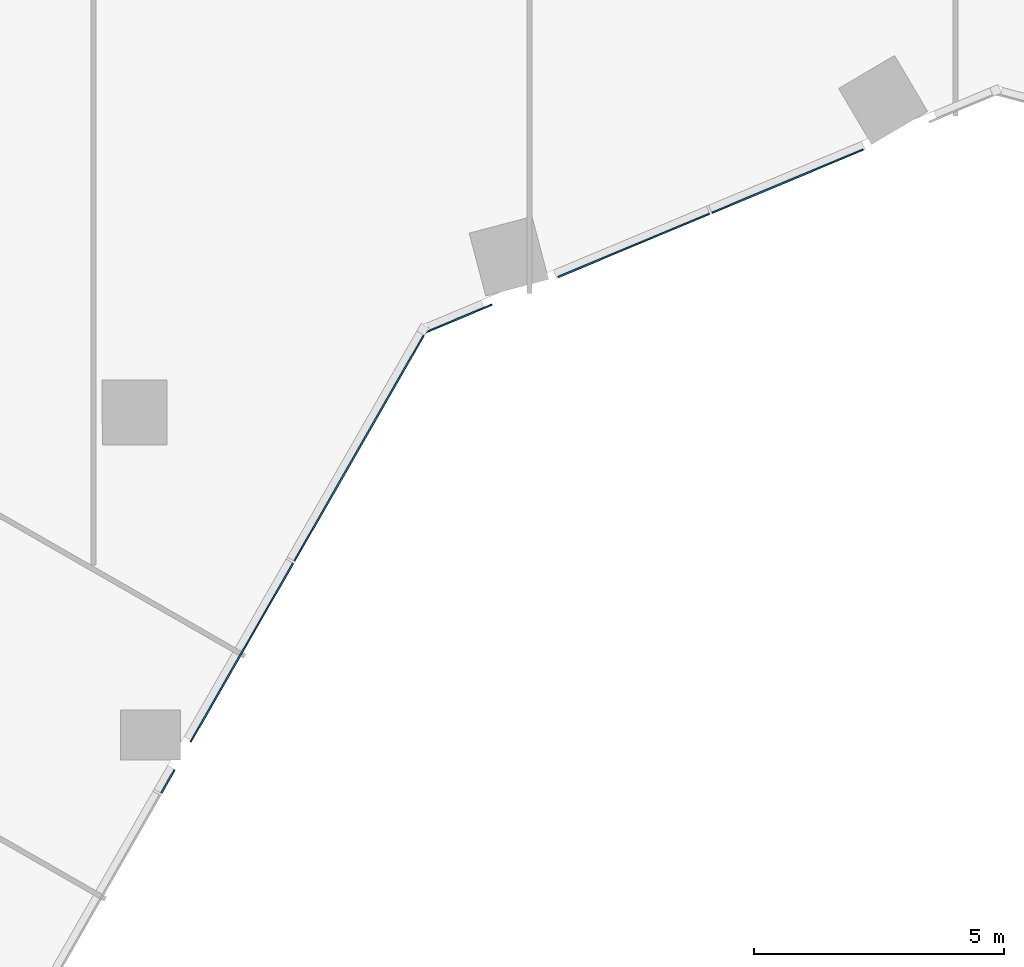
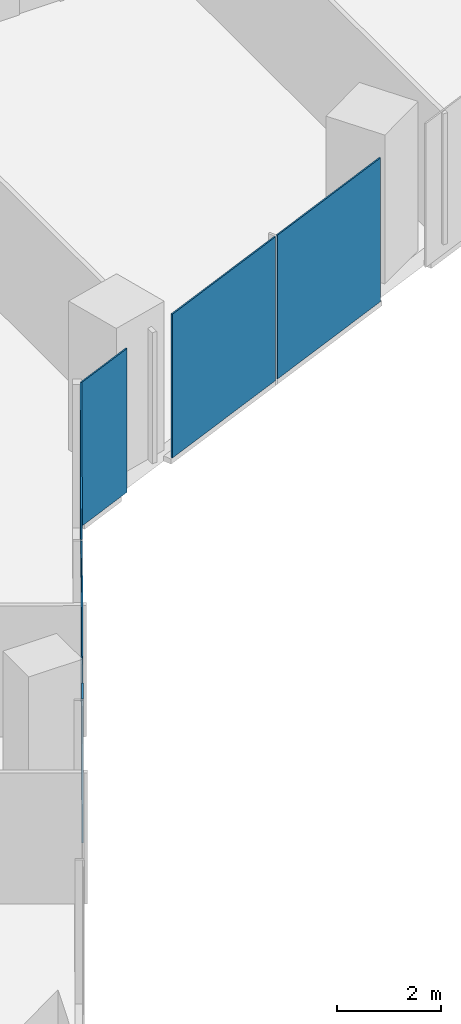
# One storey, part 19 of 34: 6 plates, 2 elements without a shape of their own.
"""IFC4 building model written with IfcOpenShell, lengths in metres."""

from ifc_helpers import new_model, si_unit, direction, frame, origin, origin_2d, place, context, subcontext, project, spatial, rectangle, extrude, material, layer, layer_set, type_object, element, aggregate, save


model = new_model("IFC4")

# Units and contexts
model_context = context("Model", 3, precision=1e-05, world=origin(), true_north=direction((0.0, 1.0)))
body_context = subcontext(model_context, "Body", "Model", "MODEL_VIEW")
ifc_project = project(units=[si_unit("LENGTHUNIT", "METRE"), si_unit("AREAUNIT", "SQUARE_METRE"), si_unit("VOLUMEUNIT", "CUBIC_METRE"), si_unit("PLANEANGLEUNIT", "RADIAN"), si_unit("MASSUNIT", "GRAM", prefix="KILO")], contexts=[model_context])

# Site, building, storey
site_placement = place(None, origin())
site = spatial("IfcSite", under=ifc_project, at=site_placement, CompositionType="ELEMENT")
building_placement = place(site_placement, origin())
building = spatial("IfcBuilding", under=site, at=building_placement, Name="Orlundy Tower", CompositionType="ELEMENT")
storey_placement = place(building_placement, frame((0.0, 0.0, 112.699951171875)))
storey = spatial("IfcBuildingStorey", under=building, at=storey_placement, Name="L28", CompositionType="ELEMENT", Elevation=112.699951171875)

# Curtain wall, plates
ifc_material_1 = material(Name="Aluminium bronze anodised", Category="aluminium")
curtain_wall_type = type_object("IfcCurtainWallType", Name="CW1 wall", PredefinedType="NOTDEFINED", material=ifc_material_1)
curtain_wall_1_placement = place(storey_placement, origin())
curtain_wall_1 = element("IfcCurtainWall", 1, at=curtain_wall_1_placement, inside=storey, type_object=curtain_wall_type, Name="CW1 run 01", PredefinedType="NOTDEFINED")
ifc_material_2 = material(Name="Tinted glass", Category="glass")
ifc_layer = layer(ifc_material_2, 0.031982421875)
ifc_layer_set = layer_set([ifc_layer], Name="CW1 glass panel 32")
plate_type = type_object("IfcPlateType", Name="CW1 glass panel 32", PredefinedType="CURTAIN_PANEL", material=ifc_layer_set)
plate_1_placement = place(storey_placement, frame((13.16162109375, -27.1923828125, -0.27978515625), z_axis=(0.0, 0.0, 1.0), x_axis=(-0.922759105019, -0.385377262048, 0.0)))
plate_1 = element("IfcPlate", 2, at=plate_1_placement, type_object=plate_type, Name="CW1 panel", PredefinedType="CURTAIN_PANEL", context=body_context, shape_type="SweptSolid", body=[
    extrude(rectangle(XDim=3.2822265625, YDim=0.031982421875, at=origin_2d()), origin(), (0.0, 0.0, 1.0), 3.3798828125),
])
plate_2_placement = place(storey_placement, frame((10.0869140625, -28.476318359375, -0.27978515625), z_axis=(0.0, 0.0, 1.0), x_axis=(-0.922759105019, -0.385377262048, 0.0)))
plate_2 = element("IfcPlate", 3, at=plate_2_placement, type_object=plate_type, Name="CW1 panel", PredefinedType="CURTAIN_PANEL", context=body_context, shape_type="SweptSolid", body=[
    extrude(rectangle(XDim=3.28173828125, YDim=0.031982421875, at=origin_2d()), origin(), (0.0, 0.0, 1.0), 3.3798828125),
])
plate_3_placement = place(storey_placement, frame((6.581298828125, -29.9404296875, -0.27978515625), z_axis=(0.0, 0.0, 1.0), x_axis=(-0.922759105019, -0.385377262048, 0.0)))
plate_3 = element("IfcPlate", 4, at=plate_3_placement, type_object=plate_type, Name="CW1 panel", PredefinedType="CURTAIN_PANEL", context=body_context, shape_type="SweptSolid", body=[
    extrude(rectangle(XDim=1.445068359375, YDim=0.031982421875, at=origin_2d()), origin(), (0.0, 0.0, 1.0), 3.3798828125),
])
aggregate(curtain_wall_1, [plate_1, plate_2, plate_3])

curtain_wall_2_placement = place(storey_placement, origin())
curtain_wall_2 = element("IfcCurtainWall", 5, at=curtain_wall_2_placement, inside=storey, type_object=curtain_wall_type, Name="CW1 run 02", PredefinedType="NOTDEFINED")
plate_4_placement = place(storey_placement, frame((4.602294921875, -32.50732421875, -0.27978515625), z_axis=(0.0, 0.0, 1.0), x_axis=(-0.497473280125, -0.867479299789, 0.0)))
plate_4 = element("IfcPlate", 6, at=plate_4_placement, type_object=plate_type, Name="CW1 panel", PredefinedType="CURTAIN_PANEL", context=body_context, shape_type="SweptSolid", body=[
    extrude(rectangle(XDim=5.27587890625, YDim=0.031982421875, at=origin_2d()), origin(), (0.0, 0.0, 1.0), 3.3798828125),
])
plate_5_placement = place(storey_placement, frame((2.238525390625, -36.629150390625, -0.27978515625), z_axis=(0.0, 0.0, 1.0), x_axis=(-0.497473280125, -0.867479299789, 0.0)))
plate_5 = element("IfcPlate", 7, at=plate_5_placement, type_object=plate_type, Name="CW1 panel", PredefinedType="CURTAIN_PANEL", context=body_context, shape_type="SweptSolid", body=[
    extrude(rectangle(XDim=4.126953125, YDim=0.031982421875, at=origin_2d()), origin(), (0.0, 0.0, 1.0), 3.3798828125),
])
plate_6_placement = place(storey_placement, frame((0.75830078125, -39.210205078125, -0.27978515625), z_axis=(0.0, 0.0, 1.0), x_axis=(-0.497473280125, -0.867479299789, 0.0)))
plate_6 = element("IfcPlate", 8, at=plate_6_placement, type_object=plate_type, Name="CW1 panel", PredefinedType="CURTAIN_PANEL", context=body_context, shape_type="SweptSolid", body=[
    extrude(rectangle(XDim=0.535400390625, YDim=0.031982421875, at=origin_2d()), origin(), (0.0, 0.0, 1.0), 3.3798828125),
])
aggregate(curtain_wall_2, [plate_4, plate_5, plate_6])

save(model, "model.ifc")
